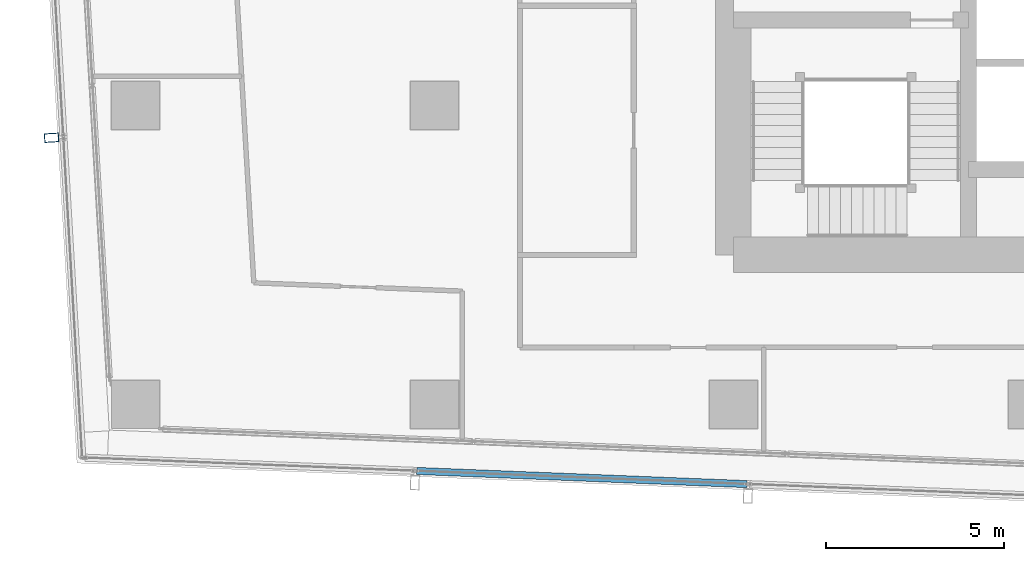
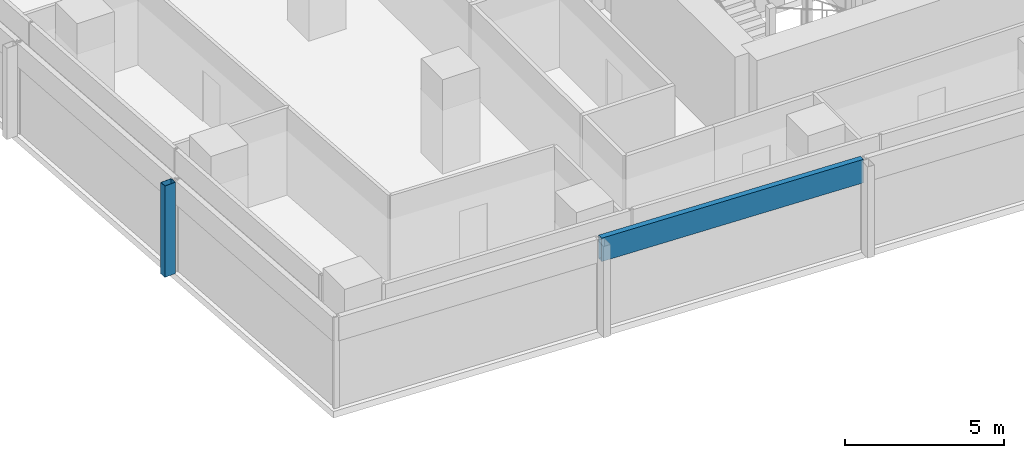
# One storey, part 4 of 38: 2 members, 2 elements without a shape of their own.
"""IFC4 building model written with IfcOpenShell, lengths in metres."""

from ifc_helpers import new_model, si_unit, direction, frame, origin, origin_2d, place, context, subcontext, project, spatial, hollow_rectangle, extrude, material, material_profile, profile_set, type_object, element, aggregate, save


model = new_model("IFC4")

# Units and contexts
model_context = context("Model", 3, precision=1e-05, world=origin(), true_north=direction((0.0, 1.0)))
body_context = subcontext(model_context, "Body", "Model", "MODEL_VIEW")
ifc_project = project(units=[si_unit("LENGTHUNIT", "METRE"), si_unit("AREAUNIT", "SQUARE_METRE"), si_unit("VOLUMEUNIT", "CUBIC_METRE"), si_unit("PLANEANGLEUNIT", "RADIAN"), si_unit("MASSUNIT", "GRAM", prefix="KILO")], contexts=[model_context])

# Site, building, storey
site_placement = place(None, origin())
site = spatial("IfcSite", under=ifc_project, at=site_placement, CompositionType="ELEMENT")
building_placement = place(site_placement, origin())
building = spatial("IfcBuilding", under=site, at=building_placement, Name="Rekha Terrace Tower", CompositionType="ELEMENT")
storey_placement = place(building_placement, frame((0.0, 0.0, 202.699951171875)))
storey = spatial("IfcBuildingStorey", under=building, at=storey_placement, Name="L51", CompositionType="ELEMENT", Elevation=202.699951171875)

# Curtain wall, member
ifc_material_1 = material(Name="Aluminium framing", Category="aluminium")
curtain_wall_type = type_object("IfcCurtainWallType", Name="CW2 double skin outer glazing", PredefinedType="USERDEFINED", material=ifc_material_1)
curtain_wall_1_placement = place(storey_placement, origin())
curtain_wall_1 = element("IfcCurtainWall", 1, at=curtain_wall_1_placement, inside=storey, type_object=curtain_wall_type, Name="CW2 double skin outer glazing", ObjectType="DOUBLE SKIN OUTER GLAZING", PredefinedType="USERDEFINED")
ifc_material_2 = material(Name="Steel S355 with fluorocarbon finish", Category="steel")
ifc_material_profile_1 = material_profile(ifc_material_2, hollow_rectangle(XDim=0.25, YDim=0.39990234375, WallThickness=0.012451171875, at=origin_2d()), Name="RHS400x250x12.5")
ifc_profile_set_1 = profile_set([ifc_material_profile_1], Name="Steel S355 with fluorocarbon finish")
member_type_1 = type_object("IfcMemberType", Name="BL1 facade blade RHS 400 x 250", PredefinedType="USERDEFINED", material=ifc_profile_set_1)
member_1_placement = place(storey_placement, frame((6.03662109375, 24.292236328125, 0.0), z_axis=(0.0, 0.0, 1.0), x_axis=(0.058764522885, -0.998271872212, 0.0)))
member_1 = element("IfcMember", 2, at=member_1_placement, type_object=member_type_1, Name="Facade blade", ObjectType="FACADE BLADE", PredefinedType="USERDEFINED", context=body_context, shape_type="SweptSolid", body=[
    extrude(hollow_rectangle(XDim=0.25, YDim=0.39990234375, WallThickness=0.012451171875, at=origin_2d()), origin(), (0.0, 0.0, 1.0), 3.5),
])
aggregate(curtain_wall_1, [member_1])

curtain_wall_2_placement = place(storey_placement, origin())
curtain_wall_2 = element("IfcCurtainWall", 3, at=curtain_wall_2_placement, inside=storey, type_object=curtain_wall_type, Name="CW2 double skin outer glazing", ObjectType="DOUBLE SKIN OUTER GLAZING", PredefinedType="USERDEFINED")
ifc_material_3 = material(Name="Insulated aluminium spandrel box", Category="aluminium")
ifc_material_profile_2 = material_profile(ifc_material_3, hollow_rectangle(XDim=0.199951171875, YDim=0.89990234375, WallThickness=0.0029296875, at=origin_2d()), Name="AL SPANDREL BOX 200x900")
ifc_profile_set_2 = profile_set([ifc_material_profile_2], Name="Insulated aluminium spandrel box")
member_type_2 = type_object("IfcMemberType", Name="CW2 spandrel transom 200 x 900", PredefinedType="USERDEFINED", material=ifc_profile_set_2)
member_2_placement = place(storey_placement, frame((16.2998046875, 14.928955078125, 3.050048828125), z_axis=(0.999205404308, -0.039856743486, 0.0), x_axis=(0.039856743486, 0.999205404308, 0.0)))
member_2 = element("IfcMember", 4, at=member_2_placement, type_object=member_type_2, Name="CW2 spandrel transom 2", ObjectType="TRANSOM", PredefinedType="USERDEFINED", context=body_context, shape_type="SweptSolid", body=[
    extrude(hollow_rectangle(XDim=0.199951171875, YDim=0.89990234375, WallThickness=0.0029296875, at=origin_2d()), origin(), (0.0, 0.0, 1.0), 9.2861328125),
])
aggregate(curtain_wall_2, [member_2])

save(model, "model.ifc")
